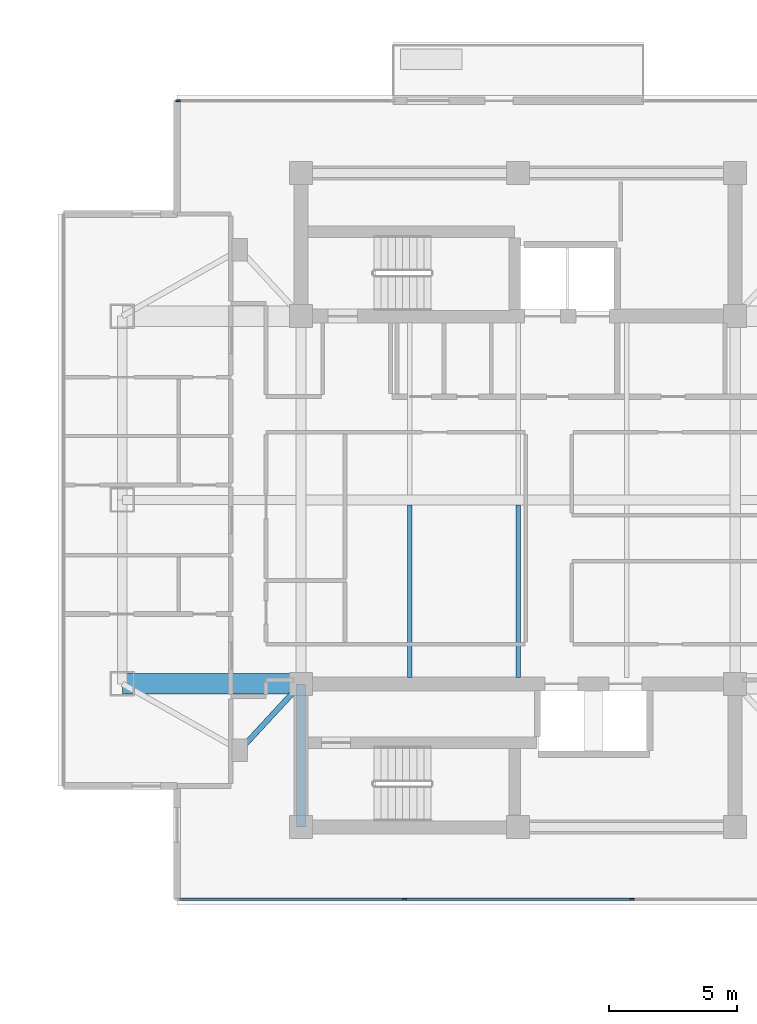
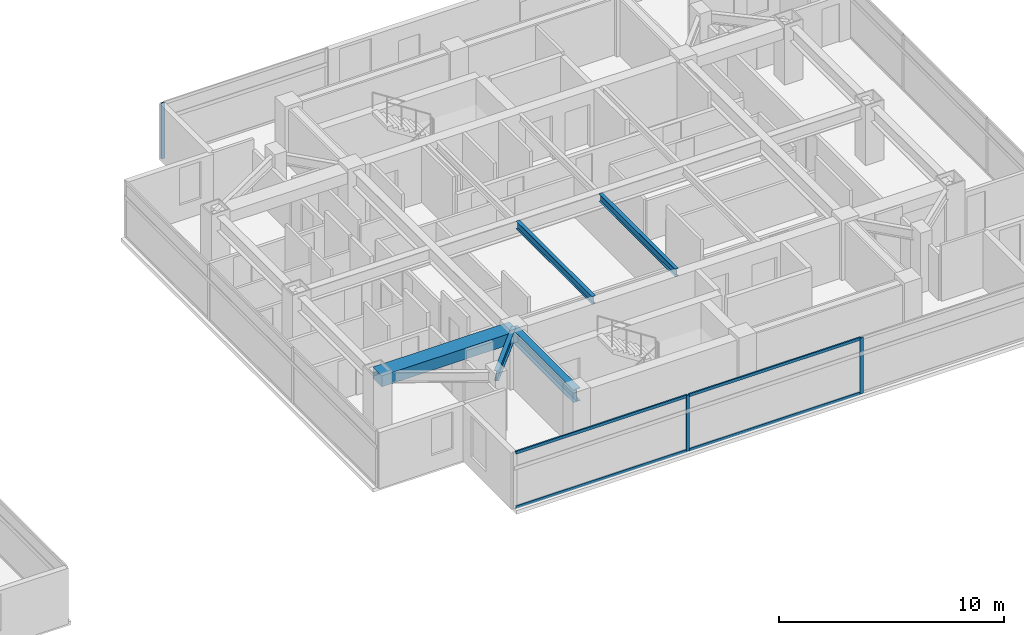
# One storey, part 8 of 26: 7 members, 5 beams, 2 elements without a shape of their own.
"""IFC4 building model written with IfcOpenShell, lengths in metres."""

from ifc_helpers import new_model, si_unit, direction, frame, origin, origin_2d, place, context, subcontext, project, spatial, rectangle, i_section, extrude, material, material_profile, profile_set, type_object, element, aggregate, save


model = new_model("IFC4")

# Units and contexts
model_context = context("Model", 3, precision=1e-05, world=origin(), true_north=direction((0.0, 1.0)))
body_context = subcontext(model_context, "Body", "Model", "MODEL_VIEW")
ifc_project = project(units=[si_unit("LENGTHUNIT", "METRE"), si_unit("AREAUNIT", "SQUARE_METRE"), si_unit("VOLUMEUNIT", "CUBIC_METRE"), si_unit("PLANEANGLEUNIT", "RADIAN"), si_unit("MASSUNIT", "GRAM", prefix="KILO")], contexts=[model_context])

# Site, building, storey
site_placement = place(None, origin())
site = spatial("IfcSite", under=ifc_project, at=site_placement, CompositionType="ELEMENT")
building_placement = place(site_placement, origin())
building = spatial("IfcBuilding", under=site, at=building_placement, Name="Mirazonda Arch Towers", CompositionType="ELEMENT")
storey_placement = place(building_placement, frame((0.0, 0.0, 203.14990234375)))
storey = spatial("IfcBuildingStorey", under=building, at=storey_placement, Name="L58", CompositionType="ELEMENT", Elevation=203.14990234375)

# Beams
ifc_material_1 = material(Name="Steel ASTM A992 Grade 50", Category="steel")
ifc_material_profile_1 = material_profile(ifc_material_1, i_section(OverallWidth=0.180908203125, OverallDepth=0.4169921875, WebThickness=0.010986328125, FlangeThickness=0.018310546875, at=origin_2d()), Name="W16X57")
ifc_profile_set_1 = profile_set([ifc_material_profile_1], Name="Steel ASTM A992 Grade 50")
beam_type_1 = type_object("IfcBeamType", Name="BM-INT-W16X57", PredefinedType="JOIST", material=ifc_profile_set_1)
for number, where, z_axis, x_axis, name in (
    (1, (72.25, 21.0400390625, 2.841552734375), (0.0, 1.0, 0.0), (-1.0, 0.0, 0.0), "L58 Floor Beam BM-T2-L58-J-722-20"),
    (2, (76.5, 21.0400390625, 2.841552734375), (0.0, 1.0, 0.0), (-1.0, 0.0, 0.0), "L58 Floor Beam BM-T2-L58-J-765-20"),
):
    element("IfcBeam", number, at=place(storey_placement, frame(where, z_axis=z_axis, x_axis=x_axis)), inside=storey, type_object=beam_type_1, Name=name, PredefinedType="JOIST", context=body_context, shape_type="SweptSolid", body=[
        extrude(i_section(OverallWidth=0.180908203125, OverallDepth=0.4169921875, WebThickness=0.010986328125, FlangeThickness=0.018310546875, at=origin_2d()), origin(), (0.0, 0.0, 1.0), 6.763916015625),
    ])
ifc_material_profile_2 = material_profile(ifc_material_1, i_section(OverallWidth=0.214111328125, OverallDepth=0.549072265625, WebThickness=0.0146484375, FlangeThickness=0.023681640625, at=origin_2d()), Name="W21X93")
ifc_profile_set_2 = profile_set([ifc_material_profile_2], Name="Steel ASTM A992 Grade 50")
beam_type_2 = type_object("IfcBeamType", Name="BM-INT-W21X93", PredefinedType="BEAM", material=ifc_profile_set_2)
beam_1_placement = place(storey_placement, frame((65.60009765625, 18.199951171875, 2.775634765625), z_axis=(0.678251444854, 0.734829897019, 0.0), x_axis=(-0.734829897019, 0.678251444854, 0.0)))
element("IfcBeam", 3, at=beam_1_placement, inside=storey, type_object=beam_type_2, Name="L58 Floor Beam BM-T2-L58-PL-SW1", PredefinedType="BEAM", context=body_context, shape_type="SweptSolid", body=[
    extrude(i_section(OverallWidth=0.214111328125, OverallDepth=0.549072265625, WebThickness=0.0146484375, FlangeThickness=0.023681640625, at=origin_2d()), origin(), (0.0, 0.0, 1.0), 3.538330078125),
])
ifc_material_profile_3 = material_profile(ifc_material_1, i_section(OverallWidth=0.35498046875, OverallDepth=0.696044921875, WebThickness=0.015380859375, FlangeThickness=0.02490234375, at=origin_2d()), Name="W27X146")
ifc_profile_set_3 = profile_set([ifc_material_profile_3], Name="Steel ASTM A992 Grade 50")
beam_type_3 = type_object("IfcBeamType", Name="BM-INT-W27X146", PredefinedType="BEAM", material=ifc_profile_set_3)
beam_2_placement = place(storey_placement, frame((68.0, 15.199951171875, 2.7021484375), z_axis=(0.0, 1.0, 0.0), x_axis=(-1.0, 0.0, 0.0)))
element("IfcBeam", 4, at=beam_2_placement, inside=storey, type_object=beam_type_3, Name="L58 Floor Beam BM-T2-L58-CSW", PredefinedType="BEAM", context=body_context, shape_type="SweptSolid", body=[
    extrude(i_section(OverallWidth=0.35498046875, OverallDepth=0.696044921875, WebThickness=0.015380859375, FlangeThickness=0.02490234375, at=origin_2d()), origin(), (0.0, 0.0, 1.0), 5.60009765625),
])
ifc_material_2 = material(Name="Concrete C60/75", Category="concrete")
ifc_material_profile_4 = material_profile(ifc_material_2, rectangle(XDim=0.800048828125, YDim=0.60009765625, at=origin_2d()), Name="RCCB800x600")
ifc_profile_set_4 = profile_set([ifc_material_profile_4], Name="Concrete C60/75")
beam_type_4 = type_object("IfcBeamType", Name="CB-INT-RCCB800x600", PredefinedType="SPANDREL", material=ifc_profile_set_4)
beam_3_placement = place(storey_placement, frame((61.0, 20.800048828125, 2.75), z_axis=(1.0, 0.0, 0.0), x_axis=(0.0, 1.0, 0.0)))
element("IfcBeam", 5, at=beam_3_placement, inside=storey, type_object=beam_type_4, Name="L58 Floor Beam CBC-T2-L58-SW", PredefinedType="SPANDREL", context=body_context, shape_type="SweptSolid", body=[
    extrude(rectangle(XDim=0.800048828125, YDim=0.60009765625, at=origin_2d()), origin(), (0.0, 0.0, 1.0), 7.0),
])

# Curtain wall, members
ifc_material_3 = material(Name="Anodised Aluminium and Low-E Glass", Category="aluminium")
curtain_wall_type = type_object("IfcCurtainWallType", Name="CW-RES-UNIT", PredefinedType="NOTDEFINED", material=ifc_material_3)
curtain_wall_1_placement = place(storey_placement, origin())
curtain_wall_1 = element("IfcCurtainWall", 6, at=curtain_wall_1_placement, inside=storey, type_object=curtain_wall_type, Name="L58 T2 S Facade CW-L58-T2-S", PredefinedType="NOTDEFINED")
ifc_material_4 = material(Name="Anodised Aluminium Alloy", Category="aluminium")
ifc_material_profile_5 = material_profile(ifc_material_4, rectangle(XDim=0.074951171875, YDim=0.175048828125, at=origin_2d()), Name="ALU-MULL-75x175")
ifc_profile_set_5 = profile_set([ifc_material_profile_5], Name="Anodised Aluminium Alloy")
member_type_1 = type_object("IfcMemberType", Name="MULL-CW-RES-UNIT", PredefinedType="MULLION", material=ifc_profile_set_5)
member_1_placement = place(storey_placement, frame((80.955322265625, 12.36181640625, 0.0), z_axis=(0.0, 0.0, 1.0), x_axis=(0.0, -1.0, 0.0)))
member_1 = element("IfcMember", 7, at=member_1_placement, type_object=member_type_1, Name="CW-104 mullion 2", PredefinedType="MULLION", context=body_context, shape_type="SweptSolid", body=[
    extrude(rectangle(XDim=0.074951171875, YDim=0.175048828125, at=origin_2d()), origin(), (0.0, 0.0, 1.0), 3.030029296875),
])
member_2_placement = place(storey_placement, frame((72.044677734375, 12.36181640625, 0.0), z_axis=(0.0, 0.0, 1.0), x_axis=(0.0, -1.0, 0.0)))
member_2 = element("IfcMember", 8, at=member_2_placement, type_object=member_type_1, Name="CW-104 mullion 3", PredefinedType="MULLION", context=body_context, shape_type="SweptSolid", body=[
    extrude(rectangle(XDim=0.074951171875, YDim=0.175048828125, at=origin_2d()), origin(), (0.0, 0.0, 1.0), 3.030029296875),
])

# Curtain wall, member
curtain_wall_2_placement = place(storey_placement, origin())
curtain_wall_2 = element("IfcCurtainWall", 9, at=curtain_wall_2_placement, inside=storey, type_object=curtain_wall_type, Name="L58 Curtain Wall CW-L58-T2-NA", PredefinedType="NOTDEFINED")
member_3_placement = place(storey_placement, frame((63.171630859375, 43.63818359375, 0.0), z_axis=(0.0, 0.0, 1.0), x_axis=(0.0, 1.0, 0.0)))
member_3 = element("IfcMember", 10, at=member_3_placement, type_object=member_type_1, Name="CW-104 mullion 1", PredefinedType="MULLION", context=body_context, shape_type="SweptSolid", body=[
    extrude(rectangle(XDim=0.074951171875, YDim=0.175048828125, at=origin_2d()), origin(), (0.0, 0.0, 1.0), 3.030029296875),
])
aggregate(curtain_wall_2, [member_3])

# Member
ifc_material_profile_6 = material_profile(ifc_material_4, rectangle(XDim=0.074951171875, YDim=0.155029296875, at=origin_2d()), Name="ALU-TRAN-75x155")
ifc_profile_set_6 = profile_set([ifc_material_profile_6], Name="Anodised Aluminium Alloy")
member_type_2 = type_object("IfcMemberType", Name="TRAN-CW-RES-UNIT", PredefinedType="USERDEFINED", material=ifc_profile_set_6)
member_4_placement = place(storey_placement, frame((80.917724609375, 12.36181640625, 0.03759765625), z_axis=(-1.0, 0.0, 0.0), x_axis=(0.0, -1.0, 0.0)))
member_4 = element("IfcMember", 11, at=member_4_placement, type_object=member_type_2, Name="CW-104 transom 2.1", ObjectType="TRANSOM", PredefinedType="USERDEFINED", context=body_context, shape_type="SweptSolid", body=[
    extrude(rectangle(XDim=0.074951171875, YDim=0.155029296875, at=origin_2d()), origin(), (0.0, 0.0, 1.0), 8.83544921875),
])

member_5_placement = place(storey_placement, frame((80.917724609375, 12.36181640625, 2.99267578125), z_axis=(-1.0, 0.0, 0.0), x_axis=(0.0, -1.0, 0.0)))
member_5 = element("IfcMember", 12, at=member_5_placement, type_object=member_type_2, Name="CW-104 transom 2.2", ObjectType="TRANSOM", PredefinedType="USERDEFINED", context=body_context, shape_type="SweptSolid", body=[
    extrude(rectangle(XDim=0.074951171875, YDim=0.155029296875, at=origin_2d()), origin(), (0.0, 0.0, 1.0), 8.83544921875),
])

member_6_placement = place(storey_placement, frame((72.00732421875, 12.36181640625, 0.03759765625), z_axis=(-1.0, 0.0, 0.0), x_axis=(0.0, -1.0, 0.0)))
member_6 = element("IfcMember", 13, at=member_6_placement, type_object=member_type_2, Name="CW-104 transom 3.1", ObjectType="TRANSOM", PredefinedType="USERDEFINED", context=body_context, shape_type="SweptSolid", body=[
    extrude(rectangle(XDim=0.074951171875, YDim=0.155029296875, at=origin_2d()), origin(), (0.0, 0.0, 1.0), 8.798095703125),
])

member_7_placement = place(storey_placement, frame((72.00732421875, 12.36181640625, 2.99267578125), z_axis=(-1.0, 0.0, 0.0), x_axis=(0.0, -1.0, 0.0)))
member_7 = element("IfcMember", 14, at=member_7_placement, type_object=member_type_2, Name="CW-104 transom 3.2", ObjectType="TRANSOM", PredefinedType="USERDEFINED", context=body_context, shape_type="SweptSolid", body=[
    extrude(rectangle(XDim=0.074951171875, YDim=0.155029296875, at=origin_2d()), origin(), (0.0, 0.0, 1.0), 8.798095703125),
])

aggregate(curtain_wall_1, [member_1, member_2, member_4, member_5, member_6, member_7])

save(model, "model.ifc")
